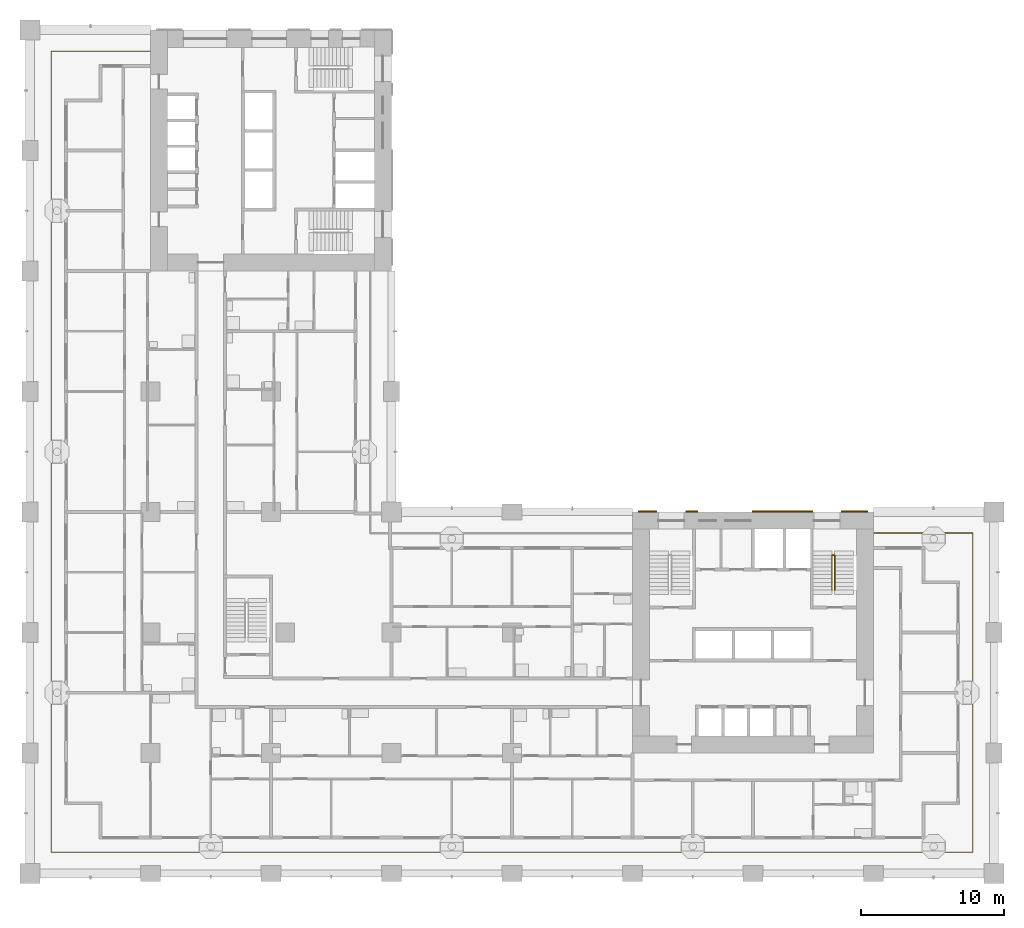
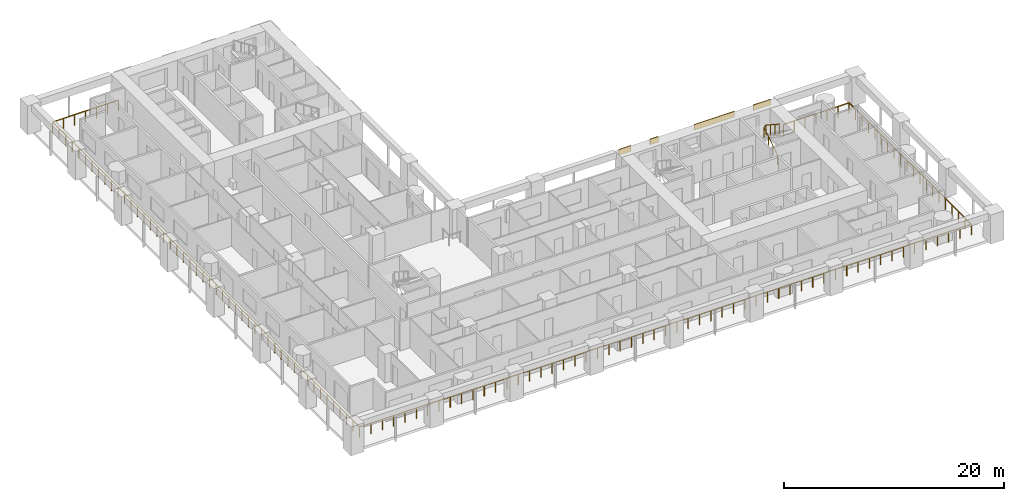
# One storey, part 13 of 20: 4 shading devices, 2 railings.
"""IFC4 building model written with IfcOpenShell, lengths in metres."""

from ifc_helpers import new_model, si_unit, direction, frame, origin, origin_2d, place, context, subcontext, project, spatial, rectangle, circle, extrude, material, layer, layer_set, type_object, element, save


model = new_model("IFC4")

# Units and contexts
model_context = context("Model", 3, precision=1e-05, world=origin(), true_north=direction((0.0, 1.0)))
body_context = subcontext(model_context, "Body", "Model", "MODEL_VIEW")
ifc_project = project(units=[si_unit("LENGTHUNIT", "METRE"), si_unit("AREAUNIT", "SQUARE_METRE"), si_unit("VOLUMEUNIT", "CUBIC_METRE"), si_unit("PLANEANGLEUNIT", "RADIAN"), si_unit("MASSUNIT", "GRAM", prefix="KILO")], contexts=[model_context])

# Site, building, storey
site_placement = place(None, origin())
site = spatial("IfcSite", under=ifc_project, at=site_placement, CompositionType="ELEMENT")
building_placement = place(site_placement, origin())
building = spatial("IfcBuilding", under=site, at=building_placement, Name="Vermilion Gate Residences", CompositionType="ELEMENT")
storey_placement = place(building_placement, frame((0.0, 0.0, 39.199951171875)))
storey = spatial("IfcBuildingStorey", under=building, at=storey_placement, Name="L08", CompositionType="ELEMENT", Elevation=39.199951171875)

# Railings
ifc_material_1 = material(Name="Stainless steel and toughened glass", Category="steel")
railing_type_1 = type_object("IfcRailingType", Name="LOGGIA GUARD STEEL AND GLASS 1200", PredefinedType="GUARDRAIL", material=ifc_material_1)
railing_1_placement = place(storey_placement, frame((8.3779296875, 57.324951171875, 0.0)))
element("IfcRailing", 1, at=railing_1_placement, inside=storey, type_object=railing_type_1, Name="Loggia guard", PredefinedType="GUARDRAIL", context=body_context, shape_type="SweptSolid", body=[
    extrude(circle(Radius=0.030029296875, at=origin_2d()), frame((0.0, 0.0, 1.169921875), z_axis=(-1.0, 0.0, 0.0), x_axis=(0.0, -1.0, 0.0)), (0.0, 0.0, 1.0), 6.90283203125),
    extrude(circle(Radius=0.030029296875, at=origin_2d()), frame((-6.90283203125, 0.0, 1.169921875), z_axis=(0.0, -1.0, 0.0), x_axis=(1.0, 0.0, 0.0)), (0.0, 0.0, 1.0), 55.849853515625),
    extrude(circle(Radius=0.030029296875, at=origin_2d()), frame((-6.90283203125, -55.849853515625, 1.169921875), z_axis=(1.0, 0.0, 0.0), x_axis=(0.0, 1.0, 0.0)), (0.0, 0.0, 1.0), 64.25),
    extrude(circle(Radius=0.030029296875, at=origin_2d()), frame((57.34716796875, -55.849853515625, 1.169921875), z_axis=(0.0, 1.0, 0.0), x_axis=(-1.0, 0.0, 0.0)), (0.0, 0.0, 1.0), 22.25),
    extrude(circle(Radius=0.030029296875, at=origin_2d()), frame((57.34716796875, -33.599853515625, 1.169921875), z_axis=(-1.0, 0.0, 0.0), x_axis=(0.0, -1.0, 0.0)), (0.0, 0.0, 1.0), 6.903076171875),
    extrude(circle(Radius=0.02490234375, at=origin_2d()), origin(), (0.0, 0.0, 1.0), 1.139892578125),
    extrude(circle(Radius=0.02490234375, at=origin_2d()), frame((-1.150390625, 0.0, 0.0)), (0.0, 0.0, 1.0), 1.139892578125),
    extrude(circle(Radius=0.02490234375, at=origin_2d()), frame((-2.301025390625, 0.0, 0.0)), (0.0, 0.0, 1.0), 1.139892578125),
    extrude(circle(Radius=0.02490234375, at=origin_2d()), frame((-3.451416015625, 0.0, 0.0)), (0.0, 0.0, 1.0), 1.139892578125),
    extrude(circle(Radius=0.02490234375, at=origin_2d()), frame((-4.601806640625, 0.0, 0.0)), (0.0, 0.0, 1.0), 1.139892578125),
    extrude(circle(Radius=0.02490234375, at=origin_2d()), frame((-5.75244140625, 0.0, 0.0)), (0.0, 0.0, 1.0), 1.139892578125),
    extrude(circle(Radius=0.02490234375, at=origin_2d()), frame((-6.90283203125, 0.0, 0.0)), (0.0, 0.0, 1.0), 1.139892578125),
    extrude(circle(Radius=0.02490234375, at=origin_2d()), frame((-6.90283203125, -1.188232421875, 0.0)), (0.0, 0.0, 1.0), 1.139892578125),
    extrude(circle(Radius=0.02490234375, at=origin_2d()), frame((-6.90283203125, -2.376708984375, 0.0)), (0.0, 0.0, 1.0), 1.139892578125),
    extrude(circle(Radius=0.02490234375, at=origin_2d()), frame((-6.90283203125, -3.56494140625, 0.0)), (0.0, 0.0, 1.0), 1.139892578125),
    extrude(circle(Radius=0.02490234375, at=origin_2d()), frame((-6.90283203125, -4.753173828125, 0.0)), (0.0, 0.0, 1.0), 1.139892578125),
    extrude(circle(Radius=0.02490234375, at=origin_2d()), frame((-6.90283203125, -5.94140625, 0.0)), (0.0, 0.0, 1.0), 1.139892578125),
    extrude(circle(Radius=0.02490234375, at=origin_2d()), frame((-6.90283203125, -7.1298828125, 0.0)), (0.0, 0.0, 1.0), 1.139892578125),
    extrude(circle(Radius=0.02490234375, at=origin_2d()), frame((-6.90283203125, -8.318115234375, 0.0)), (0.0, 0.0, 1.0), 1.139892578125),
    extrude(circle(Radius=0.02490234375, at=origin_2d()), frame((-6.90283203125, -9.50634765625, 0.0)), (0.0, 0.0, 1.0), 1.139892578125),
    extrude(circle(Radius=0.02490234375, at=origin_2d()), frame((-6.90283203125, -10.694580078125, 0.0)), (0.0, 0.0, 1.0), 1.139892578125),
    extrude(circle(Radius=0.02490234375, at=origin_2d()), frame((-6.90283203125, -11.883056640625, 0.0)), (0.0, 0.0, 1.0), 1.139892578125),
    extrude(circle(Radius=0.02490234375, at=origin_2d()), frame((-6.90283203125, -13.0712890625, 0.0)), (0.0, 0.0, 1.0), 1.139892578125),
    extrude(circle(Radius=0.02490234375, at=origin_2d()), frame((-6.90283203125, -14.259521484375, 0.0)), (0.0, 0.0, 1.0), 1.139892578125),
    extrude(circle(Radius=0.02490234375, at=origin_2d()), frame((-6.90283203125, -15.44775390625, 0.0)), (0.0, 0.0, 1.0), 1.139892578125),
    extrude(circle(Radius=0.02490234375, at=origin_2d()), frame((-6.90283203125, -16.63623046875, 0.0)), (0.0, 0.0, 1.0), 1.139892578125),
    extrude(circle(Radius=0.02490234375, at=origin_2d()), frame((-6.90283203125, -17.824462890625, 0.0)), (0.0, 0.0, 1.0), 1.139892578125),
    extrude(circle(Radius=0.02490234375, at=origin_2d()), frame((-6.90283203125, -19.0126953125, 0.0)), (0.0, 0.0, 1.0), 1.139892578125),
    extrude(circle(Radius=0.02490234375, at=origin_2d()), frame((-6.90283203125, -20.200927734375, 0.0)), (0.0, 0.0, 1.0), 1.139892578125),
    extrude(circle(Radius=0.02490234375, at=origin_2d()), frame((-6.90283203125, -21.389404296875, 0.0)), (0.0, 0.0, 1.0), 1.139892578125),
    extrude(circle(Radius=0.02490234375, at=origin_2d()), frame((-6.90283203125, -22.57763671875, 0.0)), (0.0, 0.0, 1.0), 1.139892578125),
    extrude(circle(Radius=0.02490234375, at=origin_2d()), frame((-6.90283203125, -23.765869140625, 0.0)), (0.0, 0.0, 1.0), 1.139892578125),
    extrude(circle(Radius=0.02490234375, at=origin_2d()), frame((-6.90283203125, -24.9541015625, 0.0)), (0.0, 0.0, 1.0), 1.139892578125),
    extrude(circle(Radius=0.02490234375, at=origin_2d()), frame((-6.90283203125, -26.142578125, 0.0)), (0.0, 0.0, 1.0), 1.139892578125),
    extrude(circle(Radius=0.02490234375, at=origin_2d()), frame((-6.90283203125, -27.330810546875, 0.0)), (0.0, 0.0, 1.0), 1.139892578125),
    extrude(circle(Radius=0.02490234375, at=origin_2d()), frame((-6.90283203125, -28.51904296875, 0.0)), (0.0, 0.0, 1.0), 1.139892578125),
    extrude(circle(Radius=0.02490234375, at=origin_2d()), frame((-6.90283203125, -29.707275390625, 0.0)), (0.0, 0.0, 1.0), 1.139892578125),
    extrude(circle(Radius=0.02490234375, at=origin_2d()), frame((-6.90283203125, -30.895751953125, 0.0)), (0.0, 0.0, 1.0), 1.139892578125),
    extrude(circle(Radius=0.02490234375, at=origin_2d()), frame((-6.90283203125, -32.083984375, 0.0)), (0.0, 0.0, 1.0), 1.139892578125),
    extrude(circle(Radius=0.02490234375, at=origin_2d()), frame((-6.90283203125, -33.272216796875, 0.0)), (0.0, 0.0, 1.0), 1.139892578125),
    extrude(circle(Radius=0.02490234375, at=origin_2d()), frame((-6.90283203125, -34.46044921875, 0.0)), (0.0, 0.0, 1.0), 1.139892578125),
    extrude(circle(Radius=0.02490234375, at=origin_2d()), frame((-6.90283203125, -35.64892578125, 0.0)), (0.0, 0.0, 1.0), 1.139892578125),
    extrude(circle(Radius=0.02490234375, at=origin_2d()), frame((-6.90283203125, -36.837158203125, 0.0)), (0.0, 0.0, 1.0), 1.139892578125),
    extrude(circle(Radius=0.02490234375, at=origin_2d()), frame((-6.90283203125, -38.025390625, 0.0)), (0.0, 0.0, 1.0), 1.139892578125),
    extrude(circle(Radius=0.02490234375, at=origin_2d()), frame((-6.90283203125, -39.213623046875, 0.0)), (0.0, 0.0, 1.0), 1.139892578125),
    extrude(circle(Radius=0.02490234375, at=origin_2d()), frame((-6.90283203125, -40.402099609375, 0.0)), (0.0, 0.0, 1.0), 1.139892578125),
    extrude(circle(Radius=0.02490234375, at=origin_2d()), frame((-6.90283203125, -41.59033203125, 0.0)), (0.0, 0.0, 1.0), 1.139892578125),
    extrude(circle(Radius=0.02490234375, at=origin_2d()), frame((-6.90283203125, -42.778564453125, 0.0)), (0.0, 0.0, 1.0), 1.139892578125),
    extrude(circle(Radius=0.02490234375, at=origin_2d()), frame((-6.90283203125, -43.966796875, 0.0)), (0.0, 0.0, 1.0), 1.139892578125),
    extrude(circle(Radius=0.02490234375, at=origin_2d()), frame((-6.90283203125, -45.1552734375, 0.0)), (0.0, 0.0, 1.0), 1.139892578125),
    extrude(circle(Radius=0.02490234375, at=origin_2d()), frame((-6.90283203125, -46.343505859375, 0.0)), (0.0, 0.0, 1.0), 1.139892578125),
    extrude(circle(Radius=0.02490234375, at=origin_2d()), frame((-6.90283203125, -47.53173828125, 0.0)), (0.0, 0.0, 1.0), 1.139892578125),
    extrude(circle(Radius=0.02490234375, at=origin_2d()), frame((-6.90283203125, -48.719970703125, 0.0)), (0.0, 0.0, 1.0), 1.139892578125),
    extrude(circle(Radius=0.02490234375, at=origin_2d()), frame((-6.90283203125, -49.908447265625, 0.0)), (0.0, 0.0, 1.0), 1.139892578125),
    extrude(circle(Radius=0.02490234375, at=origin_2d()), frame((-6.90283203125, -51.0966796875, 0.0)), (0.0, 0.0, 1.0), 1.139892578125),
    extrude(circle(Radius=0.02490234375, at=origin_2d()), frame((-6.90283203125, -52.284912109375, 0.0)), (0.0, 0.0, 1.0), 1.139892578125),
    extrude(circle(Radius=0.02490234375, at=origin_2d()), frame((-6.90283203125, -53.47314453125, 0.0)), (0.0, 0.0, 1.0), 1.139892578125),
    extrude(circle(Radius=0.02490234375, at=origin_2d()), frame((-6.90283203125, -54.66162109375, 0.0)), (0.0, 0.0, 1.0), 1.139892578125),
    extrude(circle(Radius=0.02490234375, at=origin_2d()), frame((-6.90283203125, -55.849853515625, 0.0)), (0.0, 0.0, 1.0), 1.139892578125),
    extrude(circle(Radius=0.02490234375, at=origin_2d()), frame((-5.713134765625, -55.849853515625, 0.0)), (0.0, 0.0, 1.0), 1.139892578125),
    extrude(circle(Radius=0.02490234375, at=origin_2d()), frame((-4.523193359375, -55.849853515625, 0.0)), (0.0, 0.0, 1.0), 1.139892578125),
    extrude(circle(Radius=0.02490234375, at=origin_2d()), frame((-3.33349609375, -55.849853515625, 0.0)), (0.0, 0.0, 1.0), 1.139892578125),
    extrude(circle(Radius=0.02490234375, at=origin_2d()), frame((-2.1435546875, -55.849853515625, 0.0)), (0.0, 0.0, 1.0), 1.139892578125),
    extrude(circle(Radius=0.02490234375, at=origin_2d()), frame((-0.953857421875, -55.849853515625, 0.0)), (0.0, 0.0, 1.0), 1.139892578125),
    extrude(circle(Radius=0.02490234375, at=origin_2d()), frame((0.236083984375, -55.849853515625, 0.0)), (0.0, 0.0, 1.0), 1.139892578125),
    extrude(circle(Radius=0.02490234375, at=origin_2d()), frame((1.42578125, -55.849853515625, 0.0)), (0.0, 0.0, 1.0), 1.139892578125),
    extrude(circle(Radius=0.02490234375, at=origin_2d()), frame((2.61572265625, -55.849853515625, 0.0)), (0.0, 0.0, 1.0), 1.139892578125),
    extrude(circle(Radius=0.02490234375, at=origin_2d()), frame((3.805419921875, -55.849853515625, 0.0)), (0.0, 0.0, 1.0), 1.139892578125),
    extrude(circle(Radius=0.02490234375, at=origin_2d()), frame((4.995361328125, -55.849853515625, 0.0)), (0.0, 0.0, 1.0), 1.139892578125),
    extrude(circle(Radius=0.02490234375, at=origin_2d()), frame((6.18505859375, -55.849853515625, 0.0)), (0.0, 0.0, 1.0), 1.139892578125),
    extrude(circle(Radius=0.02490234375, at=origin_2d()), frame((7.375, -55.849853515625, 0.0)), (0.0, 0.0, 1.0), 1.139892578125),
    extrude(circle(Radius=0.02490234375, at=origin_2d()), frame((8.564697265625, -55.849853515625, 0.0)), (0.0, 0.0, 1.0), 1.139892578125),
    extrude(circle(Radius=0.02490234375, at=origin_2d()), frame((9.754638671875, -55.849853515625, 0.0)), (0.0, 0.0, 1.0), 1.139892578125),
    extrude(circle(Radius=0.02490234375, at=origin_2d()), frame((10.9443359375, -55.849853515625, 0.0)), (0.0, 0.0, 1.0), 1.139892578125),
    extrude(circle(Radius=0.02490234375, at=origin_2d()), frame((12.13427734375, -55.849853515625, 0.0)), (0.0, 0.0, 1.0), 1.139892578125),
    extrude(circle(Radius=0.02490234375, at=origin_2d()), frame((13.323974609375, -55.849853515625, 0.0)), (0.0, 0.0, 1.0), 1.139892578125),
    extrude(circle(Radius=0.02490234375, at=origin_2d()), frame((14.513916015625, -55.849853515625, 0.0)), (0.0, 0.0, 1.0), 1.139892578125),
    extrude(circle(Radius=0.02490234375, at=origin_2d()), frame((15.70361328125, -55.849853515625, 0.0)), (0.0, 0.0, 1.0), 1.139892578125),
    extrude(circle(Radius=0.02490234375, at=origin_2d()), frame((16.8935546875, -55.849853515625, 0.0)), (0.0, 0.0, 1.0), 1.139892578125),
    extrude(circle(Radius=0.02490234375, at=origin_2d()), frame((18.083251953125, -55.849853515625, 0.0)), (0.0, 0.0, 1.0), 1.139892578125),
    extrude(circle(Radius=0.02490234375, at=origin_2d()), frame((19.273193359375, -55.849853515625, 0.0)), (0.0, 0.0, 1.0), 1.139892578125),
    extrude(circle(Radius=0.02490234375, at=origin_2d()), frame((20.462890625, -55.849853515625, 0.0)), (0.0, 0.0, 1.0), 1.139892578125),
    extrude(circle(Radius=0.02490234375, at=origin_2d()), frame((21.65283203125, -55.849853515625, 0.0)), (0.0, 0.0, 1.0), 1.139892578125),
    extrude(circle(Radius=0.02490234375, at=origin_2d()), frame((22.842529296875, -55.849853515625, 0.0)), (0.0, 0.0, 1.0), 1.139892578125),
    extrude(circle(Radius=0.02490234375, at=origin_2d()), frame((24.032470703125, -55.849853515625, 0.0)), (0.0, 0.0, 1.0), 1.139892578125),
    extrude(circle(Radius=0.02490234375, at=origin_2d()), frame((25.22216796875, -55.849853515625, 0.0)), (0.0, 0.0, 1.0), 1.139892578125),
    extrude(circle(Radius=0.02490234375, at=origin_2d()), frame((26.411865234375, -55.849853515625, 0.0)), (0.0, 0.0, 1.0), 1.139892578125),
    extrude(circle(Radius=0.02490234375, at=origin_2d()), frame((27.601806640625, -55.849853515625, 0.0)), (0.0, 0.0, 1.0), 1.139892578125),
    extrude(circle(Radius=0.02490234375, at=origin_2d()), frame((28.79150390625, -55.849853515625, 0.0)), (0.0, 0.0, 1.0), 1.139892578125),
    extrude(circle(Radius=0.02490234375, at=origin_2d()), frame((29.9814453125, -55.849853515625, 0.0)), (0.0, 0.0, 1.0), 1.139892578125),
    extrude(circle(Radius=0.02490234375, at=origin_2d()), frame((31.171142578125, -55.849853515625, 0.0)), (0.0, 0.0, 1.0), 1.139892578125),
    extrude(circle(Radius=0.02490234375, at=origin_2d()), frame((32.361083984375, -55.849853515625, 0.0)), (0.0, 0.0, 1.0), 1.139892578125),
    extrude(circle(Radius=0.02490234375, at=origin_2d()), frame((33.55078125, -55.849853515625, 0.0)), (0.0, 0.0, 1.0), 1.139892578125),
    extrude(circle(Radius=0.02490234375, at=origin_2d()), frame((34.74072265625, -55.849853515625, 0.0)), (0.0, 0.0, 1.0), 1.139892578125),
    extrude(circle(Radius=0.02490234375, at=origin_2d()), frame((35.930419921875, -55.849853515625, 0.0)), (0.0, 0.0, 1.0), 1.139892578125),
    extrude(circle(Radius=0.02490234375, at=origin_2d()), frame((37.120361328125, -55.849853515625, 0.0)), (0.0, 0.0, 1.0), 1.139892578125),
    extrude(circle(Radius=0.02490234375, at=origin_2d()), frame((38.31005859375, -55.849853515625, 0.0)), (0.0, 0.0, 1.0), 1.139892578125),
    extrude(circle(Radius=0.02490234375, at=origin_2d()), frame((39.5, -55.849853515625, 0.0)), (0.0, 0.0, 1.0), 1.139892578125),
    extrude(circle(Radius=0.02490234375, at=origin_2d()), frame((40.689697265625, -55.849853515625, 0.0)), (0.0, 0.0, 1.0), 1.139892578125),
    extrude(circle(Radius=0.02490234375, at=origin_2d()), frame((41.879638671875, -55.849853515625, 0.0)), (0.0, 0.0, 1.0), 1.139892578125),
    extrude(circle(Radius=0.02490234375, at=origin_2d()), frame((43.0693359375, -55.849853515625, 0.0)), (0.0, 0.0, 1.0), 1.139892578125),
    extrude(circle(Radius=0.02490234375, at=origin_2d()), frame((44.25927734375, -55.849853515625, 0.0)), (0.0, 0.0, 1.0), 1.139892578125),
    extrude(circle(Radius=0.02490234375, at=origin_2d()), frame((45.448974609375, -55.849853515625, 0.0)), (0.0, 0.0, 1.0), 1.139892578125),
    extrude(circle(Radius=0.02490234375, at=origin_2d()), frame((46.638916015625, -55.849853515625, 0.0)), (0.0, 0.0, 1.0), 1.139892578125),
    extrude(circle(Radius=0.02490234375, at=origin_2d()), frame((47.82861328125, -55.849853515625, 0.0)), (0.0, 0.0, 1.0), 1.139892578125),
    extrude(circle(Radius=0.02490234375, at=origin_2d()), frame((49.0185546875, -55.849853515625, 0.0)), (0.0, 0.0, 1.0), 1.139892578125),
    extrude(circle(Radius=0.02490234375, at=origin_2d()), frame((50.208251953125, -55.849853515625, 0.0)), (0.0, 0.0, 1.0), 1.139892578125),
    extrude(circle(Radius=0.02490234375, at=origin_2d()), frame((51.398193359375, -55.849853515625, 0.0)), (0.0, 0.0, 1.0), 1.139892578125),
    extrude(circle(Radius=0.02490234375, at=origin_2d()), frame((52.587890625, -55.849853515625, 0.0)), (0.0, 0.0, 1.0), 1.139892578125),
    extrude(circle(Radius=0.02490234375, at=origin_2d()), frame((53.77783203125, -55.849853515625, 0.0)), (0.0, 0.0, 1.0), 1.139892578125),
    extrude(circle(Radius=0.02490234375, at=origin_2d()), frame((54.967529296875, -55.849853515625, 0.0)), (0.0, 0.0, 1.0), 1.139892578125),
    extrude(circle(Radius=0.02490234375, at=origin_2d()), frame((56.157470703125, -55.849853515625, 0.0)), (0.0, 0.0, 1.0), 1.139892578125),
    extrude(circle(Radius=0.02490234375, at=origin_2d()), frame((57.34716796875, -55.849853515625, 0.0)), (0.0, 0.0, 1.0), 1.139892578125),
    extrude(circle(Radius=0.02490234375, at=origin_2d()), frame((57.34716796875, -54.6787109375, 0.0)), (0.0, 0.0, 1.0), 1.139892578125),
    extrude(circle(Radius=0.02490234375, at=origin_2d()), frame((57.34716796875, -53.5078125, 0.0)), (0.0, 0.0, 1.0), 1.139892578125),
    extrude(circle(Radius=0.02490234375, at=origin_2d()), frame((57.34716796875, -52.336669921875, 0.0)), (0.0, 0.0, 1.0), 1.139892578125),
    extrude(circle(Radius=0.02490234375, at=origin_2d()), frame((57.34716796875, -51.16552734375, 0.0)), (0.0, 0.0, 1.0), 1.139892578125),
    extrude(circle(Radius=0.02490234375, at=origin_2d()), frame((57.34716796875, -49.99462890625, 0.0)), (0.0, 0.0, 1.0), 1.139892578125),
    extrude(circle(Radius=0.02490234375, at=origin_2d()), frame((57.34716796875, -48.823486328125, 0.0)), (0.0, 0.0, 1.0), 1.139892578125),
    extrude(circle(Radius=0.02490234375, at=origin_2d()), frame((57.34716796875, -47.652587890625, 0.0)), (0.0, 0.0, 1.0), 1.139892578125),
    extrude(circle(Radius=0.02490234375, at=origin_2d()), frame((57.34716796875, -46.4814453125, 0.0)), (0.0, 0.0, 1.0), 1.139892578125),
    extrude(circle(Radius=0.02490234375, at=origin_2d()), frame((57.34716796875, -45.310302734375, 0.0)), (0.0, 0.0, 1.0), 1.139892578125),
    extrude(circle(Radius=0.02490234375, at=origin_2d()), frame((57.34716796875, -44.139404296875, 0.0)), (0.0, 0.0, 1.0), 1.139892578125),
    extrude(circle(Radius=0.02490234375, at=origin_2d()), frame((57.34716796875, -42.96826171875, 0.0)), (0.0, 0.0, 1.0), 1.139892578125),
    extrude(circle(Radius=0.02490234375, at=origin_2d()), frame((57.34716796875, -41.797119140625, 0.0)), (0.0, 0.0, 1.0), 1.139892578125),
    extrude(circle(Radius=0.02490234375, at=origin_2d()), frame((57.34716796875, -40.626220703125, 0.0)), (0.0, 0.0, 1.0), 1.139892578125),
    extrude(circle(Radius=0.02490234375, at=origin_2d()), frame((57.34716796875, -39.455078125, 0.0)), (0.0, 0.0, 1.0), 1.139892578125),
    extrude(circle(Radius=0.02490234375, at=origin_2d()), frame((57.34716796875, -38.2841796875, 0.0)), (0.0, 0.0, 1.0), 1.139892578125),
    extrude(circle(Radius=0.02490234375, at=origin_2d()), frame((57.34716796875, -37.113037109375, 0.0)), (0.0, 0.0, 1.0), 1.139892578125),
    extrude(circle(Radius=0.02490234375, at=origin_2d()), frame((57.34716796875, -35.94189453125, 0.0)), (0.0, 0.0, 1.0), 1.139892578125),
    extrude(circle(Radius=0.02490234375, at=origin_2d()), frame((57.34716796875, -34.77099609375, 0.0)), (0.0, 0.0, 1.0), 1.139892578125),
    extrude(circle(Radius=0.02490234375, at=origin_2d()), frame((57.34716796875, -33.599853515625, 0.0)), (0.0, 0.0, 1.0), 1.139892578125),
    extrude(circle(Radius=0.02490234375, at=origin_2d()), frame((56.19677734375, -33.599853515625, 0.0)), (0.0, 0.0, 1.0), 1.139892578125),
    extrude(circle(Radius=0.02490234375, at=origin_2d()), frame((55.046142578125, -33.599853515625, 0.0)), (0.0, 0.0, 1.0), 1.139892578125),
    extrude(circle(Radius=0.02490234375, at=origin_2d()), frame((53.8955078125, -33.599853515625, 0.0)), (0.0, 0.0, 1.0), 1.139892578125),
    extrude(circle(Radius=0.02490234375, at=origin_2d()), frame((52.7451171875, -33.599853515625, 0.0)), (0.0, 0.0, 1.0), 1.139892578125),
    extrude(circle(Radius=0.02490234375, at=origin_2d()), frame((51.5947265625, -33.599853515625, 0.0)), (0.0, 0.0, 1.0), 1.139892578125),
    extrude(circle(Radius=0.02490234375, at=origin_2d()), frame((50.444091796875, -33.599853515625, 0.0)), (0.0, 0.0, 1.0), 1.139892578125),
])
ifc_material_2 = material(Name="Steel S355", Category="steel")
railing_type_2 = type_object("IfcRailingType", Name="STAIR GUARD 1100 STEEL", PredefinedType="GUARDRAIL", material=ifc_material_2)
railing_2_placement = place(storey_placement, frame((55.89990234375, 19.75, 0.175048828125)))
element("IfcRailing", 2, at=railing_2_placement, inside=storey, type_object=railing_type_2, Name="Stair well guard STA2-08", PredefinedType="GUARDRAIL", context=body_context, shape_type="SweptSolid", body=[
    extrude(circle(Radius=0.02392578125, at=origin_2d()), frame((0.0, 0.0, 1.076171875), z_axis=(0.0, 0.839153699163, 0.543894354798), x_axis=(-1.0, 0.0, 0.0)), (0.0, 0.0, 1.0), 2.895751953125),
    extrude(circle(Radius=0.02392578125, at=origin_2d()), frame((0.0, 2.429931640625, 2.65087890625), z_axis=(0.752804132164, 0.0, 0.658244588734), x_axis=(0.0, 1.0, 0.0)), (0.0, 0.0, 1.0), 0.265869140625),
    extrude(circle(Radius=0.02392578125, at=origin_2d()), frame((0.2001953125, 2.429931640625, 2.826171875), z_axis=(0.0, -0.839153699163, 0.543894354798), x_axis=(1.0, 0.0, 0.0)), (0.0, 0.0, 1.0), 2.895751953125),
    extrude(circle(Radius=0.02099609375, at=origin_2d()), origin(), (0.0, 0.0, 1.0), 1.052001953125),
    extrude(circle(Radius=0.02099609375, at=origin_2d()), frame((0.0, 0.81005859375, 0.52490234375)), (0.0, 0.0, 1.0), 1.052001953125),
    extrude(circle(Radius=0.02099609375, at=origin_2d()), frame((0.0, 1.619873046875, 1.050048828125)), (0.0, 0.0, 1.0), 1.052001953125),
    extrude(circle(Radius=0.02099609375, at=origin_2d()), frame((0.0, 2.429931640625, 1.574951171875)), (0.0, 0.0, 1.0), 1.052001953125),
    extrude(circle(Radius=0.02099609375, at=origin_2d()), frame((0.2001953125, 2.429931640625, 1.75)), (0.0, 0.0, 1.0), 1.052001953125),
    extrude(circle(Radius=0.02099609375, at=origin_2d()), frame((0.2001953125, 1.619873046875, 2.27490234375)), (0.0, 0.0, 1.0), 1.052001953125),
    extrude(circle(Radius=0.02099609375, at=origin_2d()), frame((0.2001953125, 0.81005859375, 2.800048828125)), (0.0, 0.0, 1.0), 1.052001953125),
    extrude(circle(Radius=0.02099609375, at=origin_2d()), frame((0.2001953125, 0.0, 3.324951171875)), (0.0, 0.0, 1.0), 1.052001953125),
])

# Shading devices
ifc_material_3 = material(Name="Extruded terracotta", Category="masonry")
ifc_layer = layer(ifc_material_3, 0.10009765625)
ifc_layer_set = layer_set([ifc_layer], Name="TERRACOTTA SPANDREL BAND 600 X 100")
shading_device_type = type_object("IfcShadingDeviceType", Name="TERRACOTTA SPANDREL BAND 600 X 100", PredefinedType="USERDEFINED", material=ifc_layer_set)
shading_device_1_placement = place(storey_placement, frame((43.050048828125, 25.25, 2.6201171875), z_axis=(0.0, 0.0, 1.0), x_axis=(1.0, 0.0, 0.0)))
element("IfcShadingDevice", 3, at=shading_device_1_placement, inside=storey, type_object=shading_device_type, Name="SPANDREL BAND", ObjectType="BAND", PredefinedType="USERDEFINED", context=body_context, shape_type="SweptSolid", body=[
    extrude(rectangle(XDim=1.300048828125, YDim=0.10009765625, at=origin_2d()), origin(), (0.0, 0.0, 1.0), 0.60009765625),
])
shading_device_2_placement = place(storey_placement, frame((46.121826171875, 25.25, 2.6201171875), z_axis=(0.0, 0.0, 1.0), x_axis=(1.0, 0.0, 0.0)))
element("IfcShadingDevice", 4, at=shading_device_2_placement, inside=storey, type_object=shading_device_type, Name="SPANDREL BAND", ObjectType="BAND", PredefinedType="USERDEFINED", context=body_context, shape_type="SweptSolid", body=[
    extrude(rectangle(XDim=0.84375, YDim=0.10009765625, at=origin_2d()), origin(), (0.0, 0.0, 1.0), 0.60009765625),
])
shading_device_3_placement = place(storey_placement, frame((52.449951171875, 25.25, 2.6201171875), z_axis=(0.0, 0.0, 1.0), x_axis=(1.0, 0.0, 0.0)))
element("IfcShadingDevice", 5, at=shading_device_3_placement, inside=storey, type_object=shading_device_type, Name="SPANDREL BAND", ObjectType="BAND", PredefinedType="USERDEFINED", context=body_context, shape_type="SweptSolid", body=[
    extrude(rectangle(XDim=4.199951171875, YDim=0.10009765625, at=origin_2d()), origin(), (0.0, 0.0, 1.0), 0.60009765625),
])
shading_device_4_placement = place(storey_placement, frame((57.47509765625, 25.25, 2.6201171875), z_axis=(0.0, 0.0, 1.0), x_axis=(1.0, 0.0, 0.0)))
element("IfcShadingDevice", 6, at=shading_device_4_placement, inside=storey, type_object=shading_device_type, Name="SPANDREL BAND", ObjectType="BAND", PredefinedType="USERDEFINED", context=body_context, shape_type="SweptSolid", body=[
    extrude(rectangle(XDim=1.85009765625, YDim=0.10009765625, at=origin_2d()), origin(), (0.0, 0.0, 1.0), 0.60009765625),
])

save(model, "model.ifc")
